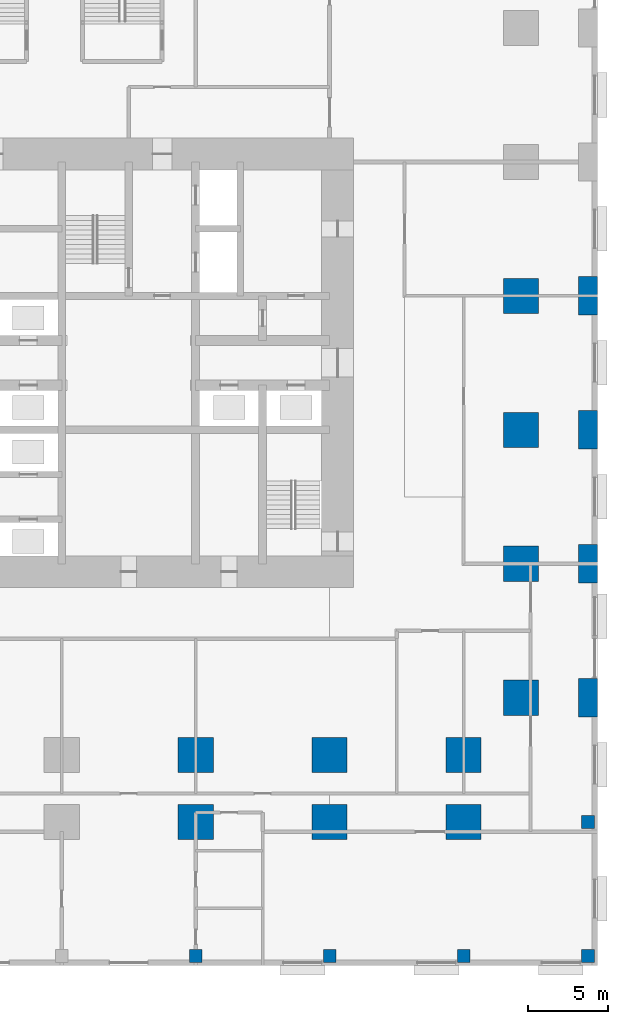
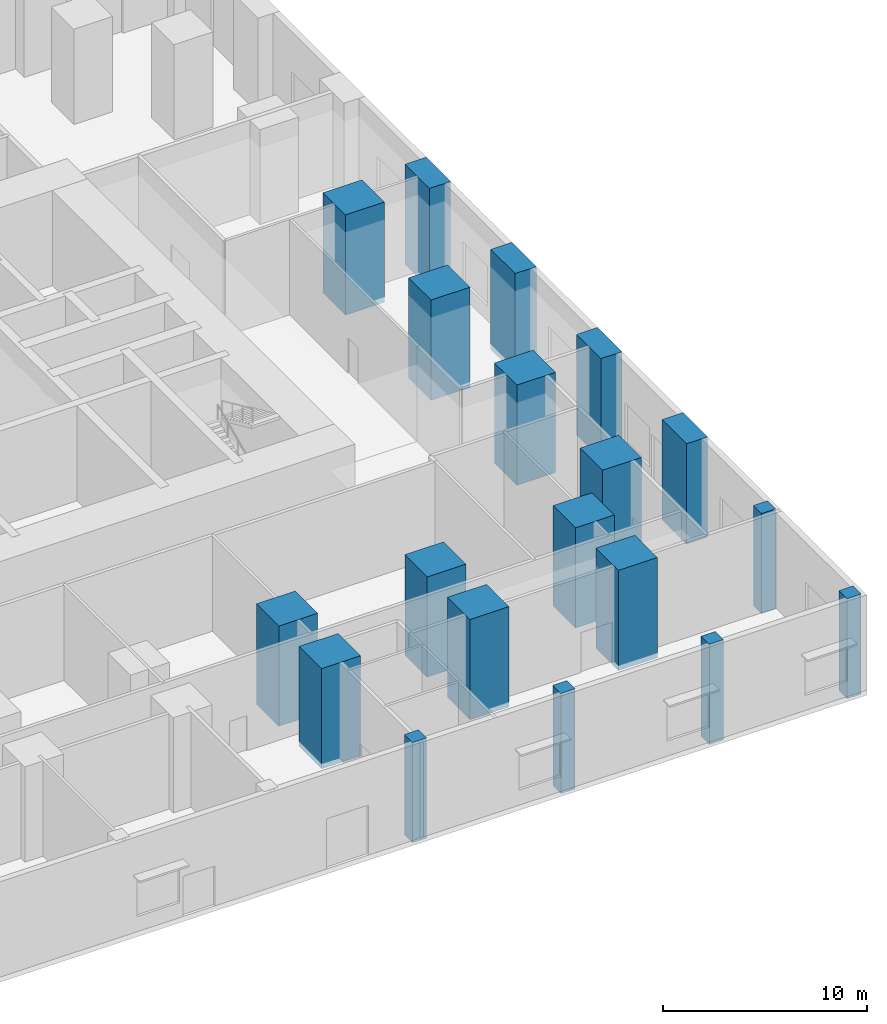
# One storey, part 9 of 26: 19 columns.
"""IFC4 building model written with IfcOpenShell, lengths in metres."""

from ifc_helpers import new_model, si_unit, direction, frame, origin, origin_2d, place, context, subcontext, project, spatial, rectangle, extrude, material, material_profile, profile_set, type_object, element, save


model = new_model("IFC4")

# Units and contexts
model_context = context("Model", 3, precision=1e-05, world=origin(), true_north=direction((0.0, 1.0)))
body_context = subcontext(model_context, "Body", "Model", "MODEL_VIEW")
ifc_project = project(units=[si_unit("LENGTHUNIT", "METRE"), si_unit("AREAUNIT", "SQUARE_METRE"), si_unit("VOLUMEUNIT", "CUBIC_METRE"), si_unit("PLANEANGLEUNIT", "RADIAN"), si_unit("MASSUNIT", "GRAM", prefix="KILO")], contexts=[model_context])

# Site, building, storey
site_placement = place(None, origin())
site = spatial("IfcSite", under=ifc_project, at=site_placement, CompositionType="ELEMENT")
building_placement = place(site_placement, origin())
building = spatial("IfcBuilding", under=site, at=building_placement, Name="Dunama Terrace Hotel", CompositionType="ELEMENT")
storey_placement = place(building_placement, origin())
storey = spatial("IfcBuildingStorey", under=building, at=storey_placement, Name="L00", CompositionType="ELEMENT", Elevation=0.0)

# Columns
ifc_material_1 = material(Name="Concrete C60/75", Category="concrete")
ifc_material_profile_1 = material_profile(ifc_material_1, rectangle(XDim=1.199951171875, YDim=2.39990234375, at=origin_2d()), Name="RC 1200x2400")
ifc_profile_set_1 = profile_set([ifc_material_profile_1], Name="Concrete C60/75")
column_type_1 = type_object("IfcColumnType", Name="Column RC 1200x2400", PredefinedType="COLUMN", material=ifc_profile_set_1)
for number, where, z_axis, x_axis, name in (
    (1, (58.199951171875, 8.39990234375, -0.300048828125), (0.0, 0.0, 1.0), (1.0, 0.0, 0.0), "Column L00 +58.2/+8.4"),
    (2, (58.199951171875, 16.800048828125, -0.300048828125), (0.0, 0.0, 1.0), (1.0, 0.0, 0.0), "Column L00 +58.2/+16.8"),
    (3, (58.199951171875, 25.199951171875, -0.300048828125), (0.0, 0.0, 1.0), (1.0, 0.0, 0.0), "Column L00 +58.2/+25.2"),
    (4, (58.199951171875, 33.60009765625, -0.300048828125), (0.0, 0.0, 1.0), (1.0, 0.0, 0.0), "Column L00 +58.2/+33.6"),
):
    element("IfcColumn", number, at=place(storey_placement, frame(where, z_axis=z_axis, x_axis=x_axis)), inside=storey, type_object=column_type_1, Name=name, PredefinedType="COLUMN", context=body_context, shape_type="SweptSolid", body=[
        extrude(rectangle(XDim=1.199951171875, YDim=2.39990234375, at=origin_2d()), origin(), (0.0, 0.0, 1.0), 6.0),
    ])
ifc_material_2 = material(Name="Concrete C60/75", Category="concrete")
ifc_material_profile_2 = material_profile(ifc_material_2, rectangle(XDim=2.199951171875, YDim=2.199951171875, at=origin_2d()), Name="RC 2200x2200")
ifc_profile_set_2 = profile_set([ifc_material_profile_2], Name="Concrete C60/75")
column_type_2 = type_object("IfcColumnType", Name="Column RC 2200x2200", PredefinedType="COLUMN", material=ifc_profile_set_2)
for number, where, z_axis, x_axis, name in (
    (5, (33.60009765625, 0.60009765625, -0.300048828125), (0.0, 0.0, 1.0), (1.0, 0.0, 0.0), "Column L00 +33.6/+0.6"),
    (6, (33.60009765625, 4.800048828125, -0.300048828125), (0.0, 0.0, 1.0), (1.0, 0.0, 0.0), "Column L00 +33.6/+4.8"),
    (7, (42.0, 0.60009765625, -0.300048828125), (0.0, 0.0, 1.0), (1.0, 0.0, 0.0), "Column L00 +42.0/+0.6"),
    (8, (42.0, 4.800048828125, -0.300048828125), (0.0, 0.0, 1.0), (1.0, 0.0, 0.0), "Column L00 +42.0/+4.8"),
    (9, (50.39990234375, 0.60009765625, -0.300048828125), (0.0, 0.0, 1.0), (1.0, 0.0, 0.0), "Column L00 +50.4/+0.6"),
    (10, (50.39990234375, 4.800048828125, -0.300048828125), (0.0, 0.0, 1.0), (1.0, 0.0, 0.0), "Column L00 +50.4/+4.8"),
    (11, (54.0, 8.39990234375, -0.300048828125), (0.0, 0.0, 1.0), (1.0, 0.0, 0.0), "Column L00 +54.0/+8.4"),
    (12, (54.0, 16.800048828125, -0.300048828125), (0.0, 0.0, 1.0), (1.0, 0.0, 0.0), "Column L00 +54.0/+16.8"),
    (13, (54.0, 25.199951171875, -0.300048828125), (0.0, 0.0, 1.0), (1.0, 0.0, 0.0), "Column L00 +54.0/+25.2"),
    (14, (54.0, 33.60009765625, -0.300048828125), (0.0, 0.0, 1.0), (1.0, 0.0, 0.0), "Column L00 +54.0/+33.6"),
):
    element("IfcColumn", number, at=place(storey_placement, frame(where, z_axis=z_axis, x_axis=x_axis)), inside=storey, type_object=column_type_2, Name=name, PredefinedType="COLUMN", context=body_context, shape_type="SweptSolid", body=[
        extrude(rectangle(XDim=2.199951171875, YDim=2.199951171875, at=origin_2d()), origin(), (0.0, 0.0, 1.0), 6.0),
    ])
ifc_material_3 = material(Name="Concrete C40/50", Category="concrete")
ifc_material_profile_3 = material_profile(ifc_material_3, rectangle(XDim=0.800048828125, YDim=0.800048828125, at=origin_2d()), Name="RC 800x800")
ifc_profile_set_3 = profile_set([ifc_material_profile_3], Name="Concrete C40/50")
column_type_3 = type_object("IfcColumnType", Name="Column RC 800x800", PredefinedType="COLUMN", material=ifc_profile_set_3)
for number, where, z_axis, x_axis, name in (
    (15, (33.60009765625, -7.800048828125, -0.300048828125), (0.0, 0.0, 1.0), (1.0, 0.0, 0.0), "Column L00 +33.6/-7.8"),
    (16, (42.0, -7.800048828125, -0.300048828125), (0.0, 0.0, 1.0), (1.0, 0.0, 0.0), "Column L00 +42.0/-7.8"),
    (17, (50.39990234375, -7.800048828125, -0.300048828125), (0.0, 0.0, 1.0), (1.0, 0.0, 0.0), "Column L00 +50.4/-7.8"),
    (18, (58.199951171875, -7.800048828125, -0.300048828125), (0.0, 0.0, 1.0), (1.0, 0.0, 0.0), "Column L00 +58.2/-7.8"),
    (19, (58.199951171875, 0.60009765625, -0.300048828125), (0.0, 0.0, 1.0), (1.0, 0.0, 0.0), "Column L00 +58.2/+0.6"),
):
    element("IfcColumn", number, at=place(storey_placement, frame(where, z_axis=z_axis, x_axis=x_axis)), inside=storey, type_object=column_type_3, Name=name, PredefinedType="COLUMN", context=body_context, shape_type="SweptSolid", body=[
        extrude(rectangle(XDim=0.800048828125, YDim=0.800048828125, at=origin_2d()), origin(), (0.0, 0.0, 1.0), 6.0),
    ])

save(model, "model.ifc")
